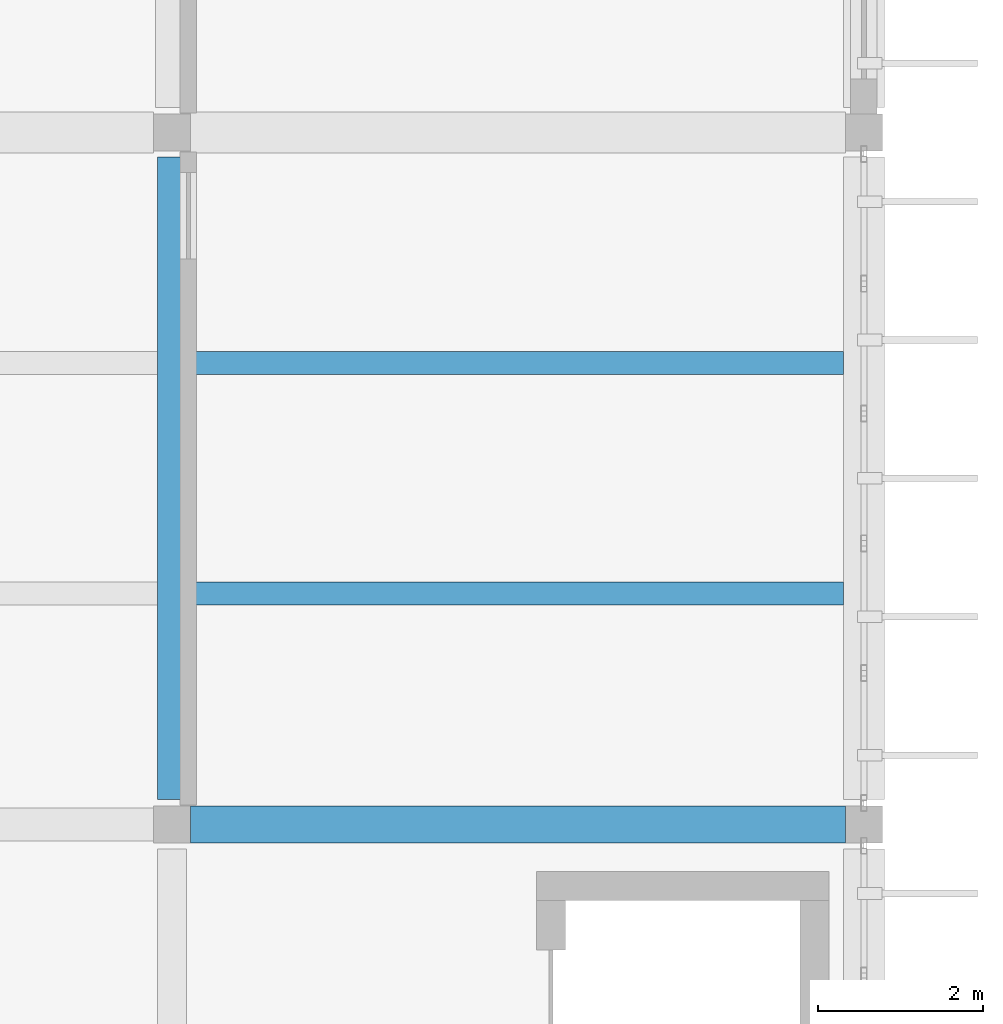
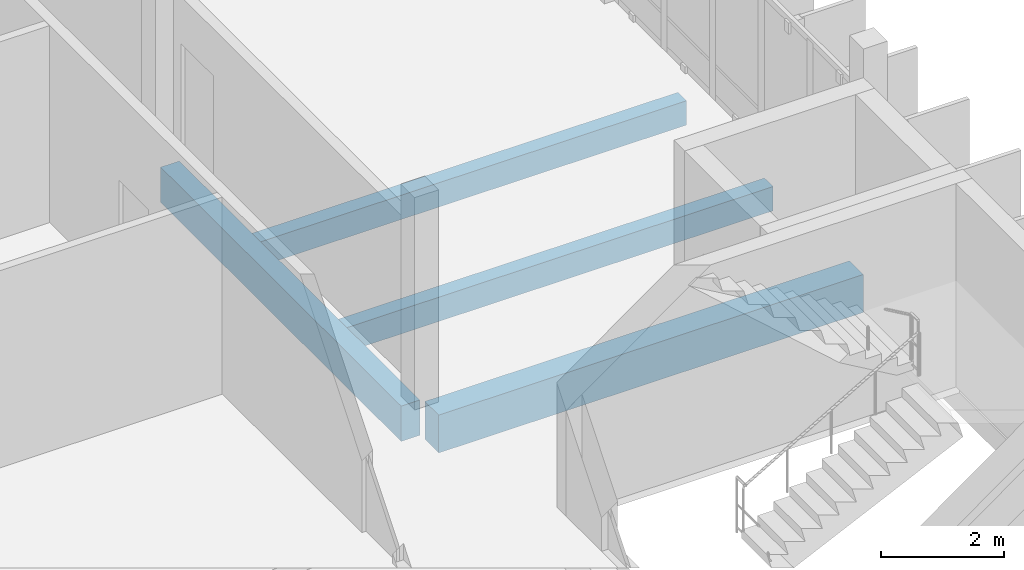
# One storey, part 14 of 62: 4 beams.
"""IFC4 building model written with IfcOpenShell, lengths in metres."""

from ifc_helpers import new_model, si_unit, direction, frame, origin, origin_2d, place, context, subcontext, project, spatial, rectangle, extrude, material, material_profile, profile_set, type_object, element, save


model = new_model("IFC4")

# Units and contexts
model_context = context("Model", 3, precision=1e-05, world=origin(), true_north=direction((0.0, 1.0)))
body_context = subcontext(model_context, "Body", "Model", "MODEL_VIEW")
ifc_project = project(units=[si_unit("LENGTHUNIT", "METRE"), si_unit("AREAUNIT", "SQUARE_METRE"), si_unit("VOLUMEUNIT", "CUBIC_METRE"), si_unit("PLANEANGLEUNIT", "RADIAN"), si_unit("MASSUNIT", "GRAM", prefix="KILO")], contexts=[model_context])

# Site, building, storey
site_placement = place(None, origin())
site = spatial("IfcSite", under=ifc_project, at=site_placement, CompositionType="ELEMENT")
building_placement = place(site_placement, origin())
building = spatial("IfcBuilding", under=site, at=building_placement, Name="Vireocrest Preparatory School", CompositionType="ELEMENT")
storey_placement = place(building_placement, frame((0.0, 0.0, 17.39990234375)))
storey = spatial("IfcBuildingStorey", under=building, at=storey_placement, Name="L04", CompositionType="ELEMENT", Elevation=17.39990234375)

# Beams
ifc_material = material(Name="Concrete 40 MPa", Category="concrete")
ifc_material_profile_1 = material_profile(ifc_material, rectangle(XDim=0.35009765625, YDim=0.699951171875, at=origin_2d()), Name="RC 350x700")
ifc_profile_set_1 = profile_set([ifc_material_profile_1], Name="Concrete 40 MPa")
beam_type_1 = type_object("IfcBeamType", Name="RC Laboratory Girder 350x700", PredefinedType="BEAM", material=ifc_profile_set_1)
beam_1_placement = place(storey_placement, frame((100.800048828125, 52.5, -0.60986328125), z_axis=(0.0, 1.0, 0.0), x_axis=(-1.0, 0.0, 0.0)))
element("IfcBeam", 1, at=beam_1_placement, inside=storey, type_object=beam_type_1, Name="Primary Girder B06 L04-1403", PredefinedType="BEAM", context=body_context, shape_type="SweptSolid", body=[
    extrude(rectangle(XDim=0.35009765625, YDim=0.699951171875, at=origin_2d()), origin(), (0.0, 0.0, 1.0), 7.800048828125),
])
ifc_material_profile_2 = material_profile(ifc_material, rectangle(XDim=0.449951171875, YDim=0.75, at=origin_2d()), Name="RC 450x750")
ifc_profile_set_2 = profile_set([ifc_material_profile_2], Name="Concrete 40 MPa")
beam_type_2 = type_object("IfcBeamType", Name="RC Library Stack Girder 450x750", PredefinedType="BEAM", material=ifc_profile_set_2)
beam_2_placement = place(storey_placement, frame((101.02490234375, 52.199951171875, -0.635009765625), z_axis=(1.0, 0.0, 0.0), x_axis=(0.0, 1.0, 0.0)))
element("IfcBeam", 2, at=beam_2_placement, inside=storey, type_object=beam_type_2, Name="Primary Girder B11 L04-1305", PredefinedType="BEAM", context=body_context, shape_type="SweptSolid", body=[
    extrude(rectangle(XDim=0.449951171875, YDim=0.75, at=origin_2d()), origin(), (0.0, 0.0, 1.0), 7.9501953125),
])
ifc_material_profile_3 = material_profile(ifc_material, rectangle(XDim=0.280029296875, YDim=0.47998046875, at=origin_2d()), Name="RC 280x480")
ifc_profile_set_3 = profile_set([ifc_material_profile_3], Name="Concrete 40 MPa")
beam_type_3 = type_object("IfcBeamType", Name="RC Secondary Lab Joist 280x480", PredefinedType="JOIST", material=ifc_profile_set_3)
for number, where, z_axis, x_axis, name in (
    (3, (100.97509765625, 55.0, -0.5), (1.0, 0.0, 0.0), (0.0, 1.0, 0.0), "Secondary Joist J02 L04-1501"),
    (4, (100.97509765625, 57.800048828125, -0.5), (1.0, 0.0, 0.0), (0.0, 1.0, 0.0), "Secondary Joist J02 L04-1502"),
):
    element("IfcBeam", number, at=place(storey_placement, frame(where, z_axis=z_axis, x_axis=x_axis)), inside=storey, type_object=beam_type_3, Name=name, PredefinedType="JOIST", context=body_context, shape_type="SweptSolid", body=[
        extrude(rectangle(XDim=0.280029296875, YDim=0.47998046875, at=origin_2d()), origin(), (0.0, 0.0, 1.0), 7.974853515625),
    ])

save(model, "model.ifc")
